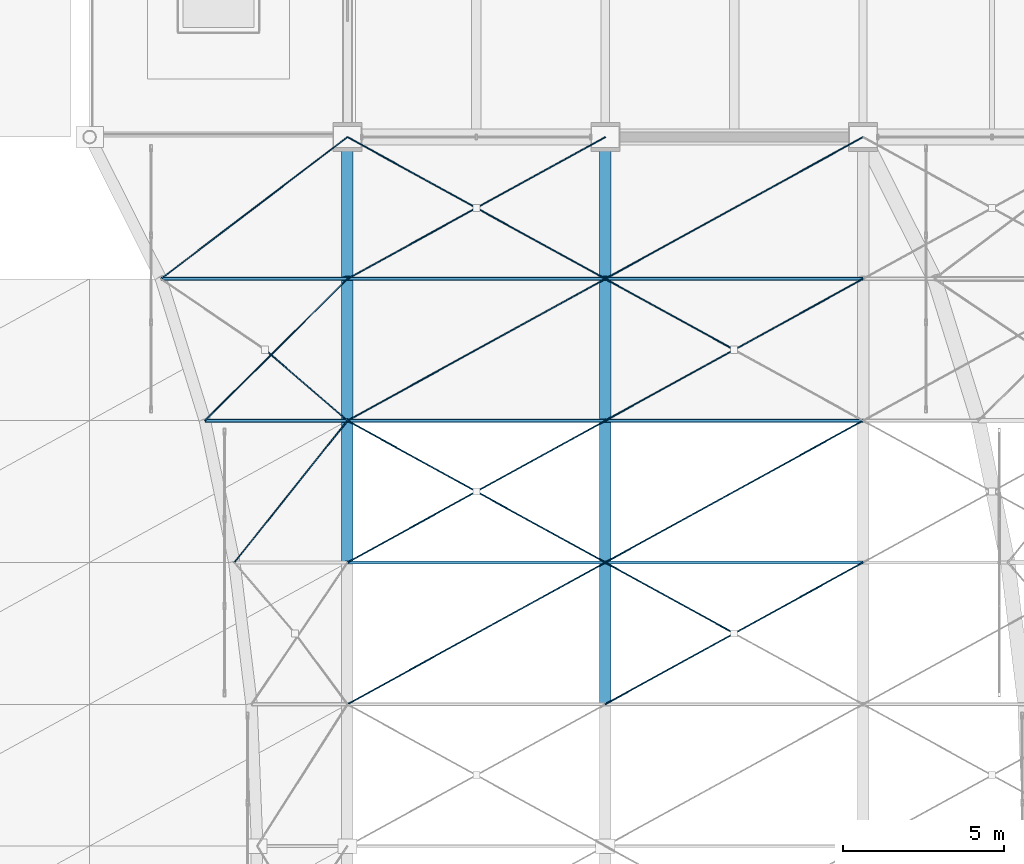
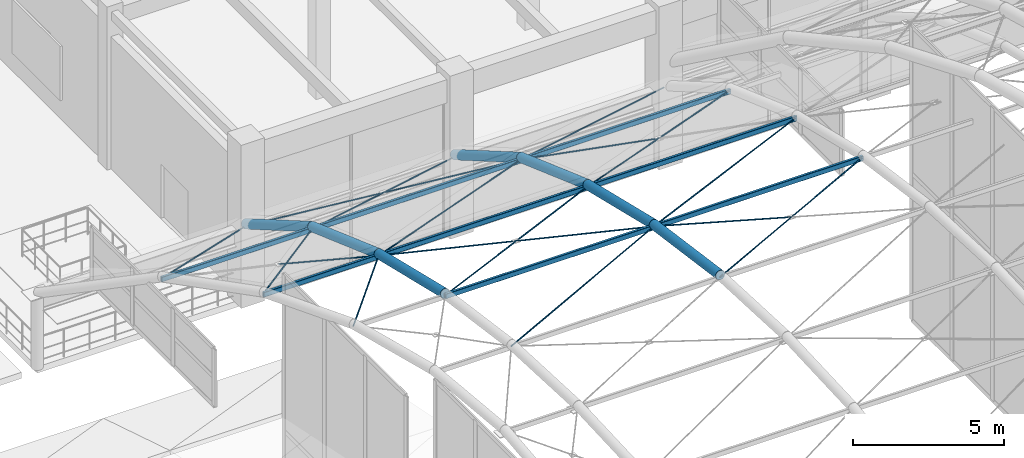
# One storey, part 53 of 163: 18 members, 15 beams.
"""IFC4 building model written with IfcOpenShell, lengths in metres."""

from ifc_helpers import new_model, si_unit, direction, frame, origin, origin_2d, place, context, subcontext, project, spatial, hollow_rectangle, circle, hollow_circle, extrude, material, material_profile, profile_set, type_object, element, save


model = new_model("IFC4")

# Units and contexts
model_context = context("Model", 3, precision=1e-05, world=origin(), true_north=direction((0.0, 1.0)))
body_context = subcontext(model_context, "Body", "Model", "MODEL_VIEW")
ifc_project = project(units=[si_unit("LENGTHUNIT", "METRE"), si_unit("AREAUNIT", "SQUARE_METRE"), si_unit("VOLUMEUNIT", "CUBIC_METRE"), si_unit("PLANEANGLEUNIT", "RADIAN"), si_unit("MASSUNIT", "GRAM", prefix="KILO")], contexts=[model_context])

# Site, building, storey
site_placement = place(None, origin())
site = spatial("IfcSite", under=ifc_project, at=site_placement, CompositionType="ELEMENT")
building_placement = place(site_placement, origin())
building = spatial("IfcBuilding", under=site, at=building_placement, Name="Varnabhumi Central Station", CompositionType="ELEMENT")
storey_placement = place(building_placement, frame((0.0, 0.0, 9.60009765625)))
storey = spatial("IfcBuildingStorey", under=building, at=storey_placement, Name="L02", CompositionType="ELEMENT", Elevation=9.60009765625)

# Beams
ifc_material_1 = material(Name="Structural steel E350", Category="steel")
ifc_material_profile_1 = material_profile(ifc_material_1, hollow_circle(Radius=0.177734375, WallThickness=0.012451171875, at=origin_2d()), Name="Structural steel E350", Category="steel")
ifc_profile_set_1 = profile_set([ifc_material_profile_1], Name="Structural steel E350")
beam_type_1 = type_object("IfcBeamType", Name="BM-ARCH-CHS355", PredefinedType="BEAM", material=ifc_profile_set_1)
beam_1_placement = place(storey_placement, frame((24.0, 66.800048828125, 8.182373046875), z_axis=(0.0, 0.972451917694, -0.2331035559), x_axis=(-1.0, 0.0, 0.0)))
element("IfcBeam", 1, at=beam_1_placement, inside=storey, type_object=beam_type_1, Name="Entrance Portico Vault Arch Rib 2 Seg 8", PredefinedType="BEAM", context=body_context, shape_type="SweptSolid", body=[
    extrude(hollow_circle(Radius=0.177734375, WallThickness=0.012451171875, at=origin_2d()), origin(), (0.0, 0.0, 1.0), 4.524658203125),
])
beam_2_placement = place(storey_placement, frame((24.0, 71.199951171875, 7.127685546875), z_axis=(0.0, 0.941622467523, -0.336670653094), x_axis=(-1.0, 0.0, 0.0)))
element("IfcBeam", 2, at=beam_2_placement, inside=storey, type_object=beam_type_1, Name="Entrance Portico Vault Arch Rib 2 Seg 9", PredefinedType="BEAM", context=body_context, shape_type="SweptSolid", body=[
    extrude(hollow_circle(Radius=0.177734375, WallThickness=0.012451171875, at=origin_2d()), origin(), (0.0, 0.0, 1.0), 4.6728515625),
])
beam_3_placement = place(storey_placement, frame((24.0, 75.60009765625, 5.554443359375), z_axis=(0.0, 0.86481784928, -0.502085737267), x_axis=(-1.0, 0.0, 0.0)))
element("IfcBeam", 3, at=beam_3_placement, inside=storey, type_object=beam_type_1, Name="Entrance Portico Vault Arch Rib 2 Seg 10", PredefinedType="BEAM", context=body_context, shape_type="SweptSolid", body=[
    extrude(hollow_circle(Radius=0.177734375, WallThickness=0.012451171875, at=origin_2d()), origin(), (0.0, 0.0, 1.0), 5.087646484375),
])
beam_4_placement = place(storey_placement, frame((32.0, 62.39990234375, 8.79736328125), z_axis=(0.0, 0.99037356126, -0.138420407303), x_axis=(-1.0, 0.0, 0.0)))
element("IfcBeam", 4, at=beam_4_placement, inside=storey, type_object=beam_type_1, Name="Entrance Portico Vault Arch Rib 3 Seg 7", PredefinedType="BEAM", context=body_context, shape_type="SweptSolid", body=[
    extrude(hollow_circle(Radius=0.177734375, WallThickness=0.012451171875, at=origin_2d()), origin(), (0.0, 0.0, 1.0), 4.44287109375),
])
beam_5_placement = place(storey_placement, frame((32.0, 66.800048828125, 8.182373046875), z_axis=(0.0, 0.972451917694, -0.2331035559), x_axis=(-1.0, 0.0, 0.0)))
element("IfcBeam", 5, at=beam_5_placement, inside=storey, type_object=beam_type_1, Name="Entrance Portico Vault Arch Rib 3 Seg 8", PredefinedType="BEAM", context=body_context, shape_type="SweptSolid", body=[
    extrude(hollow_circle(Radius=0.177734375, WallThickness=0.012451171875, at=origin_2d()), origin(), (0.0, 0.0, 1.0), 4.524658203125),
])
beam_6_placement = place(storey_placement, frame((32.0, 71.199951171875, 7.127685546875), z_axis=(0.0, 0.941622467523, -0.336670653094), x_axis=(-1.0, 0.0, 0.0)))
element("IfcBeam", 6, at=beam_6_placement, inside=storey, type_object=beam_type_1, Name="Entrance Portico Vault Arch Rib 3 Seg 9", PredefinedType="BEAM", context=body_context, shape_type="SweptSolid", body=[
    extrude(hollow_circle(Radius=0.177734375, WallThickness=0.012451171875, at=origin_2d()), origin(), (0.0, 0.0, 1.0), 4.6728515625),
])
beam_7_placement = place(storey_placement, frame((32.0, 75.60009765625, 5.554443359375), z_axis=(0.0, 0.86481784928, -0.502085737267), x_axis=(-1.0, 0.0, 0.0)))
element("IfcBeam", 7, at=beam_7_placement, inside=storey, type_object=beam_type_1, Name="Entrance Portico Vault Arch Rib 3 Seg 10", PredefinedType="BEAM", context=body_context, shape_type="SweptSolid", body=[
    extrude(hollow_circle(Radius=0.177734375, WallThickness=0.012451171875, at=origin_2d()), origin(), (0.0, 0.0, 1.0), 5.087646484375),
])
ifc_material_profile_2 = material_profile(ifc_material_1, hollow_rectangle(XDim=0.10009765625, YDim=0.199951171875, WallThickness=0.008056640625, InnerFilletRadius=0.008056640625, OuterFilletRadius=0.01611328125, at=origin_2d()), Name="Structural steel E350", Category="steel")
ifc_profile_set_2 = profile_set([ifc_material_profile_2], Name="Structural steel E350")
beam_type_2 = type_object("IfcBeamType", Name="BM-PUR-RHS200", PredefinedType="JOIST", material=ifc_profile_set_2)
beam_8_placement = place(storey_placement, frame((19.577392578125, 71.199951171875, 7.027587890625), z_axis=(1.0, 0.0, 0.0), x_axis=(0.0, 1.0, 0.0)))
element("IfcBeam", 8, at=beam_8_placement, inside=storey, type_object=beam_type_2, Name="Entrance Portico Vault Purlin B1-L8", PredefinedType="JOIST", context=body_context, shape_type="SweptSolid", body=[
    extrude(hollow_rectangle(XDim=0.10009765625, YDim=0.199951171875, WallThickness=0.008056640625, InnerFilletRadius=0.008056640625, OuterFilletRadius=0.01611328125, at=origin_2d()), origin(), (0.0, 0.0, 1.0), 4.422607421875),
])
beam_9_placement = place(storey_placement, frame((18.2138671875, 75.60009765625, 5.454345703125), z_axis=(1.0, 0.0, 0.0), x_axis=(0.0, 1.0, 0.0)))
element("IfcBeam", 9, at=beam_9_placement, inside=storey, type_object=beam_type_2, Name="Entrance Portico Vault Purlin B1-L9", PredefinedType="JOIST", context=body_context, shape_type="SweptSolid", body=[
    extrude(hollow_rectangle(XDim=0.10009765625, YDim=0.199951171875, WallThickness=0.008056640625, InnerFilletRadius=0.008056640625, OuterFilletRadius=0.01611328125, at=origin_2d()), origin(), (0.0, 0.0, 1.0), 5.7861328125),
])
for number, where, z_axis, x_axis, name in (
    (10, (24.0, 66.800048828125, 8.082275390625), (1.0, 0.0, 0.0), (0.0, 1.0, 0.0), "Entrance Portico Vault Purlin B2-L7"),
    (11, (24.0, 71.199951171875, 7.027587890625), (1.0, 0.0, 0.0), (0.0, 1.0, 0.0), "Entrance Portico Vault Purlin B2-L8"),
    (12, (24.0, 75.60009765625, 5.454345703125), (1.0, 0.0, 0.0), (0.0, 1.0, 0.0), "Entrance Portico Vault Purlin B2-L9"),
    (13, (32.0, 66.800048828125, 8.082275390625), (1.0, 0.0, 0.0), (0.0, 1.0, 0.0), "Entrance Portico Vault Purlin B3-L7"),
    (14, (32.0, 71.199951171875, 7.027587890625), (1.0, 0.0, 0.0), (0.0, 1.0, 0.0), "Entrance Portico Vault Purlin B3-L8"),
    (15, (32.0, 75.60009765625, 5.454345703125), (1.0, 0.0, 0.0), (0.0, 1.0, 0.0), "Entrance Portico Vault Purlin B3-L9"),
):
    element("IfcBeam", number, at=place(storey_placement, frame(where, z_axis=z_axis, x_axis=x_axis)), inside=storey, type_object=beam_type_2, Name=name, PredefinedType="JOIST", context=body_context, shape_type="SweptSolid", body=[
        extrude(hollow_rectangle(XDim=0.10009765625, YDim=0.199951171875, WallThickness=0.008056640625, InnerFilletRadius=0.008056640625, OuterFilletRadius=0.01611328125, at=origin_2d()), origin(), (0.0, 0.0, 1.0), 8.0),
    ])

# Members
ifc_material_2 = material(Name="Spiral-strand steel S1570", Category="steel")
ifc_material_profile_3 = material_profile(ifc_material_2, circle(Radius=0.01806640625, at=origin_2d()), Name="Spiral-strand steel S1570", Category="steel")
ifc_profile_set_3 = profile_set([ifc_material_profile_3], Name="Spiral-strand steel S1570")
member_type = type_object("IfcMemberType", Name="MBR-CABLE-D36", PredefinedType="USERDEFINED", material=ifc_profile_set_3)
member_1_placement = place(storey_placement, frame((20.491455078125, 66.800048828125, 8.102294921875), z_axis=(0.612792348255, 0.76847426764, -0.184208680291), x_axis=(-0.781854013129, 0.623461548256, 0.0)))
element("IfcMember", 16, at=member_1_placement, inside=storey, type_object=member_type, Name="Entrance Portico Vault Cable-Net Tie B1-P8A", ObjectType="TENSION CABLE", PredefinedType="USERDEFINED", context=body_context, shape_type="SweptSolid", body=[
    extrude(circle(Radius=0.01806640625, at=origin_2d()), origin(), (0.0, 0.0, 1.0), 5.7255859375),
])
member_2_placement = place(storey_placement, frame((19.577392578125, 71.199951171875, 7.047607421875), z_axis=(0.687385013082, 0.6838940155, -0.244521613265), x_axis=(-0.705304345535, 0.708904634044, 0.0)))
element("IfcMember", 17, at=member_2_placement, inside=storey, type_object=member_type, Name="Entrance Portico Vault Cable-Net Tie B1-P9A", ObjectType="TENSION CABLE", PredefinedType="USERDEFINED", context=body_context, shape_type="SweptSolid", body=[
    extrude(circle(Radius=0.01806640625, at=origin_2d()), origin(), (0.0, 0.0, 1.0), 6.433837890625),
])
member_3_placement = place(storey_placement, frame((21.44775390625, 73.39990234375, 6.260986328125), z_axis=(0.737615098704, -0.63579966084, 0.227338420511), x_axis=(0.652895188911, 0.757448263775, 0.0)))
element("IfcMember", 18, at=member_3_placement, inside=storey, type_object=member_type, Name="Entrance Portico Vault Cable-Net Split Tie B1-P9B2", ObjectType="TENSION CABLE", PredefinedType="USERDEFINED", context=body_context, shape_type="SweptSolid", body=[
    extrude(circle(Radius=0.01806640625, at=origin_2d()), origin(), (0.0, 0.0, 1.0), 3.460205078125),
])
member_4_placement = place(storey_placement, frame((18.2138671875, 75.60009765625, 5.474365234375), z_axis=(0.750979503369, 0.571061291549, -0.331540022943), x_axis=(-0.605296142156, 0.796000364504, 0.0)))
element("IfcMember", 19, at=member_4_placement, inside=storey, type_object=member_type, Name="Entrance Portico Vault Cable-Net Tie B1-P10A", ObjectType="TENSION CABLE", PredefinedType="USERDEFINED", context=body_context, shape_type="SweptSolid", body=[
    extrude(circle(Radius=0.01806640625, at=origin_2d()), origin(), (0.0, 0.0, 1.0), 7.704833984375),
])
member_5_placement = place(storey_placement, frame((24.0, 62.39990234375, 8.71728515625), z_axis=(0.874228176797, 0.480841504835, -0.067205223918), x_axis=(-0.481931067474, 0.876209133828, 0.0)))
element("IfcMember", 20, at=member_5_placement, inside=storey, type_object=member_type, Name="Entrance Portico Vault Cable-Net Tie B2-P7A", ObjectType="TENSION CABLE", PredefinedType="USERDEFINED", context=body_context, shape_type="SweptSolid", body=[
    extrude(circle(Radius=0.01806640625, at=origin_2d()), origin(), (0.0, 0.0, 1.0), 9.15087890625),
])
member_6_placement = place(storey_placement, frame((24.0, 66.800048828125, 8.102294921875), z_axis=(0.870432037619, 0.478726995299, -0.114754223709), x_axis=(-0.481910537812, 0.876220425204, 0.0)))
element("IfcMember", 21, at=member_6_placement, inside=storey, type_object=member_type, Name="Entrance Portico Vault Cable-Net Tie B2-P8A", ObjectType="TENSION CABLE", PredefinedType="USERDEFINED", context=body_context, shape_type="SweptSolid", body=[
    extrude(circle(Radius=0.01806640625, at=origin_2d()), origin(), (0.0, 0.0, 1.0), 9.19091796875),
])
for number, where, z_axis, x_axis, name in (
    (22, (24.0, 71.199951171875, 7.047607421875), (0.870432037619, -0.478726995299, 0.114754223709), (0.481910537812, 0.876220425204, 0.0), "Entrance Portico Vault Cable-Net Split Tie B2-P8B1"),
    (23, (28.0, 69.0, 7.574951171875), (0.870432037619, -0.478726995299, 0.114754223709), (0.481910537812, 0.876220425204, 0.0), "Entrance Portico Vault Cable-Net Split Tie B2-P8B2"),
):
    element("IfcMember", number, at=place(storey_placement, frame(where, z_axis=z_axis, x_axis=x_axis)), inside=storey, type_object=member_type, Name=name, ObjectType="TENSION CABLE", PredefinedType="USERDEFINED", context=body_context, shape_type="SweptSolid", body=[
        extrude(circle(Radius=0.01806640625, at=origin_2d()), origin(), (0.0, 0.0, 1.0), 4.595458984375),
    ])
member_7_placement = place(storey_placement, frame((24.0, 71.199951171875, 7.047607421875), z_axis=(0.86348399062, 0.474932005705, -0.169808680284), x_axis=(-0.481931067474, 0.876209133828, 0.0)))
element("IfcMember", 24, at=member_7_placement, inside=storey, type_object=member_type, Name="Entrance Portico Vault Cable-Net Tie B2-P9A", ObjectType="TENSION CABLE", PredefinedType="USERDEFINED", context=body_context, shape_type="SweptSolid", body=[
    extrude(circle(Radius=0.01806640625, at=origin_2d()), origin(), (0.0, 0.0, 1.0), 9.264892578125),
])
member_8_placement = place(storey_placement, frame((24.0, 75.60009765625, 5.474365234375), z_axis=(0.843816502733, 0.464088776008, -0.269435182742), x_axis=(-0.481910537812, 0.876220425204, 0.0)))
element("IfcMember", 25, at=member_8_placement, inside=storey, type_object=member_type, Name="Entrance Portico Vault Cable-Net Tie B2-P10A", ObjectType="TENSION CABLE", PredefinedType="USERDEFINED", context=body_context, shape_type="SweptSolid", body=[
    extrude(circle(Radius=0.01806640625, at=origin_2d()), origin(), (0.0, 0.0, 1.0), 9.480712890625),
])
member_9_placement = place(storey_placement, frame((24.0, 80.0, 2.919921875), z_axis=(0.843810647871, -0.464085555906, 0.26945906431), x_axis=(0.481910537812, 0.876220425204, 0.0)))
element("IfcMember", 26, at=member_9_placement, inside=storey, type_object=member_type, Name="Entrance Portico Vault Cable-Net Split Tie B2-P10B1", ObjectType="TENSION CABLE", PredefinedType="USERDEFINED", context=body_context, shape_type="SweptSolid", body=[
    extrude(circle(Radius=0.01806640625, at=origin_2d()), origin(), (0.0, 0.0, 1.0), 4.740478515625),
])
member_10_placement = place(storey_placement, frame((28.0, 77.800048828125, 4.197265625), z_axis=(0.843822357156, -0.46409199587, 0.269411300677), x_axis=(0.481910537812, 0.876220425204, 0.0)))
element("IfcMember", 27, at=member_10_placement, inside=storey, type_object=member_type, Name="Entrance Portico Vault Cable-Net Split Tie B2-P10B2", ObjectType="TENSION CABLE", PredefinedType="USERDEFINED", context=body_context, shape_type="SweptSolid", body=[
    extrude(circle(Radius=0.01806640625, at=origin_2d()), origin(), (0.0, 0.0, 1.0), 4.740234375),
])
member_11_placement = place(storey_placement, frame((32.0, 62.39990234375, 8.71728515625), z_axis=(0.874228176797, 0.480841504835, -0.067205223918), x_axis=(-0.481931067474, 0.876209133828, 0.0)))
element("IfcMember", 28, at=member_11_placement, inside=storey, type_object=member_type, Name="Entrance Portico Vault Cable-Net Tie B3-P7A", ObjectType="TENSION CABLE", PredefinedType="USERDEFINED", context=body_context, shape_type="SweptSolid", body=[
    extrude(circle(Radius=0.01806640625, at=origin_2d()), origin(), (0.0, 0.0, 1.0), 9.15087890625),
])
member_12_placement = place(storey_placement, frame((32.0, 66.800048828125, 8.102294921875), z_axis=(0.874237823913, -0.480820131304, 0.06723264515), x_axis=(0.481910537812, 0.876220425204, 0.0)))
element("IfcMember", 29, at=member_12_placement, inside=storey, type_object=member_type, Name="Entrance Portico Vault Cable-Net Split Tie B3-P7B1", ObjectType="TENSION CABLE", PredefinedType="USERDEFINED", context=body_context, shape_type="SweptSolid", body=[
    extrude(circle(Radius=0.01806640625, at=origin_2d()), origin(), (0.0, 0.0, 1.0), 4.575439453125),
])
member_13_placement = place(storey_placement, frame((32.0, 66.800048828125, 8.102294921875), z_axis=(0.870432037619, 0.478726995299, -0.114754223709), x_axis=(-0.481910537812, 0.876220425204, 0.0)))
element("IfcMember", 30, at=member_13_placement, inside=storey, type_object=member_type, Name="Entrance Portico Vault Cable-Net Tie B3-P8A", ObjectType="TENSION CABLE", PredefinedType="USERDEFINED", context=body_context, shape_type="SweptSolid", body=[
    extrude(circle(Radius=0.01806640625, at=origin_2d()), origin(), (0.0, 0.0, 1.0), 9.19091796875),
])
member_14_placement = place(storey_placement, frame((32.0, 71.199951171875, 7.047607421875), z_axis=(0.86348399062, 0.474932005705, -0.169808680284), x_axis=(-0.481931067474, 0.876209133828, 0.0)))
element("IfcMember", 31, at=member_14_placement, inside=storey, type_object=member_type, Name="Entrance Portico Vault Cable-Net Tie B3-P9A", ObjectType="TENSION CABLE", PredefinedType="USERDEFINED", context=body_context, shape_type="SweptSolid", body=[
    extrude(circle(Radius=0.01806640625, at=origin_2d()), origin(), (0.0, 0.0, 1.0), 9.264892578125),
])
member_15_placement = place(storey_placement, frame((32.0, 75.60009765625, 5.474365234375), z_axis=(0.863473183898, -0.47495241292, 0.169806555085), x_axis=(0.481951596342, 0.876197842262, 0.0)))
element("IfcMember", 32, at=member_15_placement, inside=storey, type_object=member_type, Name="Entrance Portico Vault Cable-Net Split Tie B3-P9B1", ObjectType="TENSION CABLE", PredefinedType="USERDEFINED", context=body_context, shape_type="SweptSolid", body=[
    extrude(circle(Radius=0.01806640625, at=origin_2d()), origin(), (0.0, 0.0, 1.0), 4.632568359375),
])
member_16_placement = place(storey_placement, frame((32.0, 75.60009765625, 5.474365234375), z_axis=(0.843816502733, 0.464088776008, -0.269435182742), x_axis=(-0.481910537812, 0.876220425204, 0.0)))
element("IfcMember", 33, at=member_16_placement, inside=storey, type_object=member_type, Name="Entrance Portico Vault Cable-Net Tie B3-P10A", ObjectType="TENSION CABLE", PredefinedType="USERDEFINED", context=body_context, shape_type="SweptSolid", body=[
    extrude(circle(Radius=0.01806640625, at=origin_2d()), origin(), (0.0, 0.0, 1.0), 9.480712890625),
])

save(model, "model.ifc")
